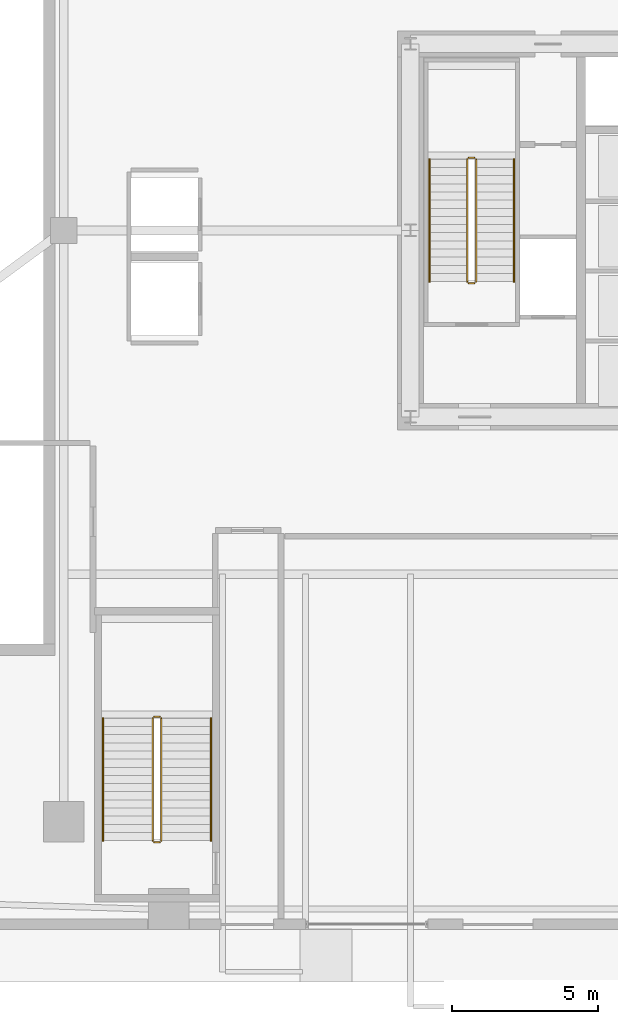
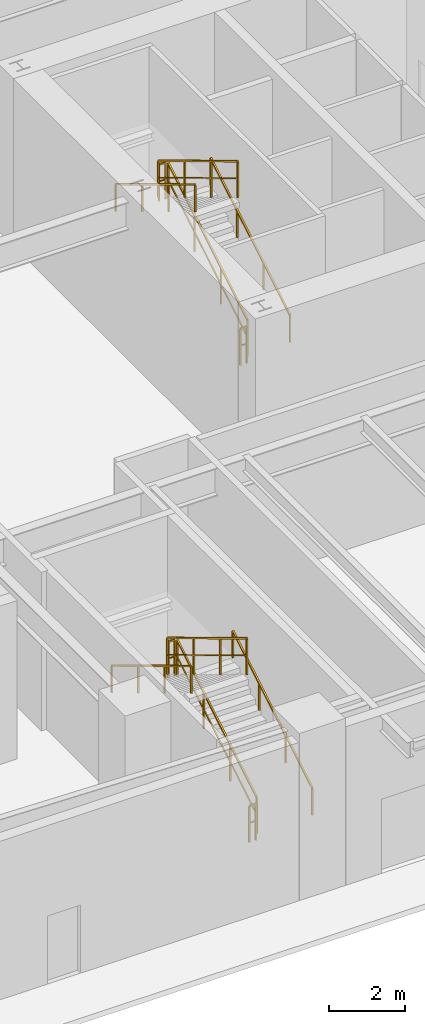
# One storey, part 30 of 32: 12 railings.
"""IFC4 building model written with IfcOpenShell, lengths in metres."""

from ifc_helpers import new_model, si_unit, direction, frame, origin, origin_2d, place, context, subcontext, project, spatial, rectangle, extrude, source, transform, mapped, material, layer, layer_set, type_object, element, save


model = new_model("IFC4")

# Units and contexts
model_context = context("Model", 3, precision=1e-05, world=origin(), true_north=direction((0.0, 1.0)))
body_context = subcontext(model_context, "Body", "Model", "MODEL_VIEW")
ifc_project = project(units=[si_unit("LENGTHUNIT", "METRE"), si_unit("AREAUNIT", "SQUARE_METRE"), si_unit("VOLUMEUNIT", "CUBIC_METRE"), si_unit("PLANEANGLEUNIT", "RADIAN"), si_unit("MASSUNIT", "GRAM", prefix="KILO"), si_unit("THERMODYNAMICTEMPERATUREUNIT", "KELVIN"), si_unit("POWERUNIT", "WATT")], contexts=[model_context])

# Site, building, storey
site_placement = place(None, origin())
site = spatial("IfcSite", under=ifc_project, at=site_placement, CompositionType="ELEMENT")
building_placement = place(site_placement, origin())
building = spatial("IfcBuilding", under=site, at=building_placement, Name="Yuzanri Waterfront Tower", CompositionType="ELEMENT")
storey_placement = place(building_placement, origin())
storey = spatial("IfcBuildingStorey", under=building, at=storey_placement, Name="L01", CompositionType="ELEMENT", Elevation=0.0)

# Railings
ifc_material_1 = material(Name="Painted Galvanized Fire Steel", Category="steel")
ifc_layer_1 = layer(ifc_material_1, 0.06005859375)
ifc_layer_set_1 = layer_set([ifc_layer_1], Name="Painted Galvanized Fire Steel")
railing_type_1 = type_object("IfcRailingType", Name="Painted Steel Stairwell Guardrail 1120", PredefinedType="GUARDRAIL", material=ifc_layer_set_1)
shared_shape_1 = source(origin(), body_context, "Body", "SweptSolid", [
    extrude(rectangle(XDim=0.050048828125, YDim=0.050048828125, at=origin_2d()), frame((0.0, 0.0, 1.1748046875), z_axis=(-1.0, 0.0, 0.0), x_axis=(0.0, -1.0, 0.0)), (0.0, 0.0, 1.0), 0.199951171875),
    extrude(rectangle(XDim=0.035888671875, YDim=0.030029296875, at=origin_2d()), frame((0.0, 0.0, 0.6240234375), z_axis=(-1.0, 0.0, 0.0), x_axis=(0.0, -1.0, 0.0)), (0.0, 0.0, 1.0), 0.199951171875),
    extrude(rectangle(XDim=0.0458984375, YDim=0.0458984375, at=origin_2d()), origin(), (0.0, 0.0, 1.0), 1.14990234375),
    extrude(rectangle(XDim=0.0458984375, YDim=0.0458984375, at=origin_2d()), frame((-0.199951171875, 0.0, 0.0)), (0.0, 0.0, 1.0), 1.14990234375),
])
for number, where, name in (
    (1, (26.0, 28.2900390625, 2.699951171875), "L01 ST-01 stair guard 2"),
    (2, (26.0, 23.989990234375, 0.0), "L01 ST-01 stair guard 4"),
    (3, (15.199951171875, 9.10009765625, 2.699951171875), "L01 PST-01 stair guard 2"),
    (4, (15.199951171875, 4.800048828125, 0.0), "L01 PST-01 stair guard 4"),
):
    element("IfcRailing", number, at=place(storey_placement, frame(where)), inside=storey, type_object=railing_type_1, Name=name, PredefinedType="GUARDRAIL", context=body_context, shape_type="MappedRepresentation", body=[
        mapped(shared_shape_1, transform((0.0, 0.0, 0.0), scale=1.0)),
    ])
shared_shape_2 = source(origin(), body_context, "Body", "SweptSolid", [
    extrude(rectangle(XDim=0.050048828125, YDim=0.050048828125, at=origin_2d()), frame((0.0, 0.0, 1.1748046875), z_axis=(0.0, 0.856476492594, 0.516186030065), x_axis=(-1.0, 0.0, 0.0)), (0.0, 0.0, 1.0), 4.90380859375),
    extrude(rectangle(XDim=0.035888671875, YDim=0.030029296875, at=origin_2d()), frame((0.0, 0.0, 0.6240234375), z_axis=(0.0, 0.856476492594, 0.516186030065), x_axis=(-1.0, 0.0, 0.0)), (0.0, 0.0, 1.0), 4.90380859375),
    extrude(rectangle(XDim=0.0458984375, YDim=0.0458984375, at=origin_2d()), origin(), (0.0, 0.0, 1.0), 1.14990234375),
    extrude(rectangle(XDim=0.0458984375, YDim=0.0458984375, at=origin_2d()), frame((0.0, 1.39990234375, 0.84375)), (0.0, 0.0, 1.0), 1.14990234375),
    extrude(rectangle(XDim=0.0458984375, YDim=0.0458984375, at=origin_2d()), frame((0.0, 2.800048828125, 1.6875)), (0.0, 0.0, 1.0), 1.14990234375),
    extrude(rectangle(XDim=0.0458984375, YDim=0.0458984375, at=origin_2d()), frame((0.0, 4.199951171875, 2.53125)), (0.0, 0.0, 1.0), 1.14990234375),
])
for number, where, name in (
    (5, (26.050048828125, 24.0400390625, 0.168701171875), "L01 ST-01 stair guard 1"),
    (6, (15.25, 4.85009765625, 0.168701171875), "L01 PST-01 stair guard 1"),
):
    element("IfcRailing", number, at=place(storey_placement, frame(where)), inside=storey, type_object=railing_type_1, Name=name, PredefinedType="GUARDRAIL", context=body_context, shape_type="MappedRepresentation", body=[
        mapped(shared_shape_2, transform((0.0, 0.0, 0.0), scale=1.0)),
    ])
shared_shape_3 = source(origin(), body_context, "Body", "SweptSolid", [
    extrude(rectangle(XDim=0.050048828125, YDim=0.050048828125, at=origin_2d()), frame((0.0, 0.0, 1.1748046875), z_axis=(0.0, -0.856476492594, 0.516186030065), x_axis=(1.0, 0.0, 0.0)), (0.0, 0.0, 1.0), 4.90380859375),
    extrude(rectangle(XDim=0.035888671875, YDim=0.030029296875, at=origin_2d()), frame((0.0, 0.0, 0.6240234375), z_axis=(0.0, -0.856476492594, 0.516186030065), x_axis=(1.0, 0.0, 0.0)), (0.0, 0.0, 1.0), 4.90380859375),
    extrude(rectangle(XDim=0.0458984375, YDim=0.0458984375, at=origin_2d()), origin(), (0.0, 0.0, 1.0), 1.14990234375),
    extrude(rectangle(XDim=0.0458984375, YDim=0.0458984375, at=origin_2d()), frame((0.0, -1.39990234375, 0.84375)), (0.0, 0.0, 1.0), 1.14990234375),
    extrude(rectangle(XDim=0.0458984375, YDim=0.0458984375, at=origin_2d()), frame((0.0, -2.800048828125, 1.6875)), (0.0, 0.0, 1.0), 1.14990234375),
    extrude(rectangle(XDim=0.0458984375, YDim=0.0458984375, at=origin_2d()), frame((0.0, -4.199951171875, 2.53125)), (0.0, 0.0, 1.0), 1.14990234375),
])
for number, where, name in (
    (7, (25.75, 28.239990234375, 2.86865234375), "L01 ST-01 stair guard 3"),
    (8, (14.949951171875, 9.050048828125, 2.86865234375), "L01 PST-01 stair guard 3"),
):
    element("IfcRailing", number, at=place(storey_placement, frame(where)), inside=storey, type_object=railing_type_1, Name=name, PredefinedType="GUARDRAIL", context=body_context, shape_type="MappedRepresentation", body=[
        mapped(shared_shape_3, transform((0.0, 0.0, 0.0), scale=1.0)),
    ])
ifc_material_2 = material(Name="Anodized Architectural Bronze", Category="metal")
ifc_layer_2 = layer(ifc_material_2, 0.050048828125)
ifc_layer_set_2 = layer_set([ifc_layer_2], Name="Anodized Architectural Bronze")
railing_type_2 = type_object("IfcRailingType", Name="Brushed Bronze Stair Pitch Handrail 920", PredefinedType="HANDRAIL", material=ifc_layer_set_2)
shared_shape_4 = source(origin(), body_context, "Body", "SweptSolid", [
    extrude(rectangle(XDim=0.050048828125, YDim=0.050048828125, at=origin_2d()), frame((0.0, 0.0, 0.875), z_axis=(0.0, 0.856476492594, 0.516186030065), x_axis=(-1.0, 0.0, 0.0)), (0.0, 0.0, 1.0), 4.90380859375),
    extrude(rectangle(XDim=0.0458984375, YDim=0.0458984375, at=origin_2d()), origin(), (0.0, 0.0, 1.0), 0.849853515625),
    extrude(rectangle(XDim=0.0458984375, YDim=0.0458984375, at=origin_2d()), frame((0.0, 1.39990234375, 0.84375)), (0.0, 0.0, 1.0), 0.849853515625),
    extrude(rectangle(XDim=0.0458984375, YDim=0.0458984375, at=origin_2d()), frame((0.0, 2.800048828125, 1.6875)), (0.0, 0.0, 1.0), 0.849853515625),
    extrude(rectangle(XDim=0.0458984375, YDim=0.0458984375, at=origin_2d()), frame((0.0, 4.199951171875, 2.53125)), (0.0, 0.0, 1.0), 0.849853515625),
])
for number, where, name in (
    (9, (27.35009765625, 24.0400390625, 0.168701171875), "L01 ST-01 stair handrail 1"),
    (10, (16.949951171875, 4.85009765625, 0.168701171875), "L01 PST-01 stair handrail 1"),
):
    element("IfcRailing", number, at=place(storey_placement, frame(where)), inside=storey, type_object=railing_type_2, Name=name, PredefinedType="HANDRAIL", context=body_context, shape_type="MappedRepresentation", body=[
        mapped(shared_shape_4, transform((0.0, 0.0, 0.0), scale=1.0)),
    ])
shared_shape_5 = source(origin(), body_context, "Body", "SweptSolid", [
    extrude(rectangle(XDim=0.050048828125, YDim=0.050048828125, at=origin_2d()), frame((0.0, 0.0, 0.875), z_axis=(0.0, -0.856476492594, 0.516186030065), x_axis=(1.0, 0.0, 0.0)), (0.0, 0.0, 1.0), 4.90380859375),
    extrude(rectangle(XDim=0.0458984375, YDim=0.0458984375, at=origin_2d()), origin(), (0.0, 0.0, 1.0), 0.849853515625),
    extrude(rectangle(XDim=0.0458984375, YDim=0.0458984375, at=origin_2d()), frame((0.0, -1.39990234375, 0.84375)), (0.0, 0.0, 1.0), 0.849853515625),
    extrude(rectangle(XDim=0.0458984375, YDim=0.0458984375, at=origin_2d()), frame((0.0, -2.800048828125, 1.6875)), (0.0, 0.0, 1.0), 0.849853515625),
    extrude(rectangle(XDim=0.0458984375, YDim=0.0458984375, at=origin_2d()), frame((0.0, -4.199951171875, 2.53125)), (0.0, 0.0, 1.0), 0.849853515625),
])
for number, where, name in (
    (11, (24.449951171875, 28.239990234375, 2.86865234375), "L01 ST-01 stair handrail 2"),
    (12, (13.25, 9.050048828125, 2.86865234375), "L01 PST-01 stair handrail 2"),
):
    element("IfcRailing", number, at=place(storey_placement, frame(where)), inside=storey, type_object=railing_type_2, Name=name, PredefinedType="HANDRAIL", context=body_context, shape_type="MappedRepresentation", body=[
        mapped(shared_shape_5, transform((0.0, 0.0, 0.0), scale=1.0)),
    ])

save(model, "model.ifc")
